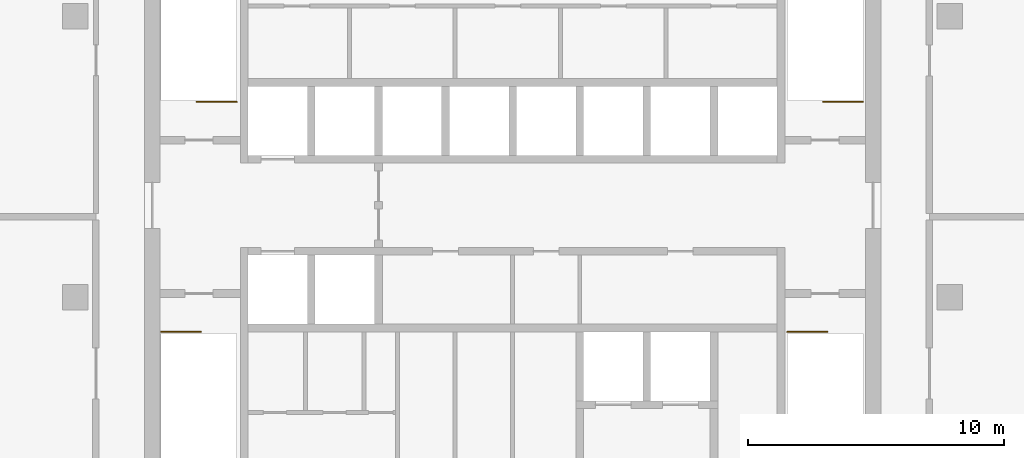
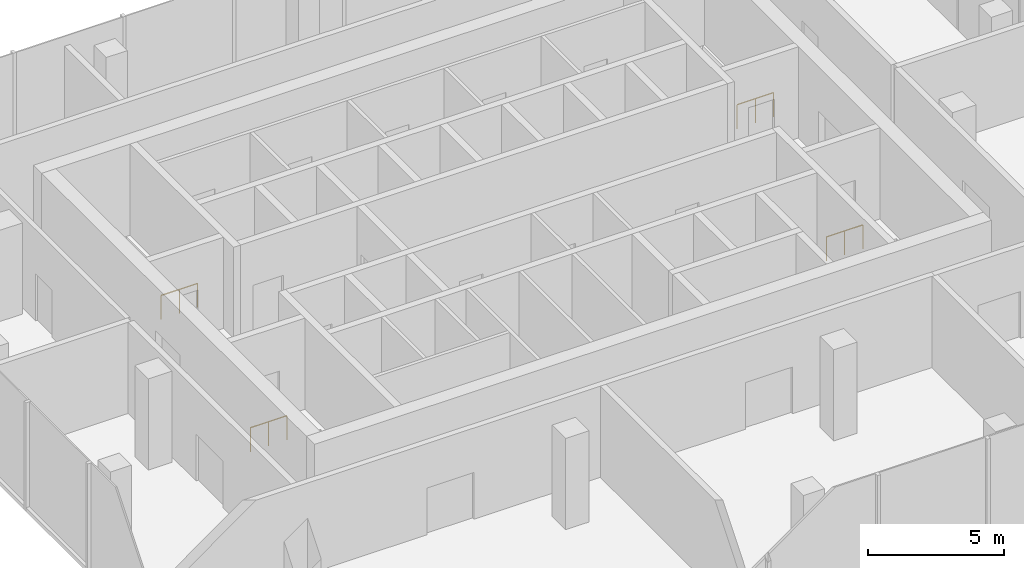
# One storey, part 6 of 6: 4 railings.
"""IFC4 building model written with IfcOpenShell, lengths in metres."""

from ifc_helpers import new_model, si_unit, direction, frame, origin, origin_2d, place, context, subcontext, project, spatial, circle, extrude, material, type_object, element, save


model = new_model("IFC4")

# Units and contexts
model_context = context("Model", 3, precision=1e-05, world=origin(), true_north=direction((0.0, 1.0)))
body_context = subcontext(model_context, "Body", "Model", "MODEL_VIEW")
ifc_project = project(units=[si_unit("LENGTHUNIT", "METRE"), si_unit("AREAUNIT", "SQUARE_METRE"), si_unit("VOLUMEUNIT", "CUBIC_METRE"), si_unit("PLANEANGLEUNIT", "RADIAN"), si_unit("MASSUNIT", "GRAM", prefix="KILO")], contexts=[model_context])

# Site, building, storey
site_placement = place(None, origin())
site = spatial("IfcSite", under=ifc_project, at=site_placement, CompositionType="ELEMENT")
building_placement = place(site_placement, origin())
building = spatial("IfcBuilding", under=site, at=building_placement, Name="Mopane Tessera Tower", CompositionType="ELEMENT")
storey_placement = place(building_placement, frame((0.0, 0.0, 357.39990234375)))
storey = spatial("IfcBuildingStorey", under=building, at=storey_placement, Name="Roof plant", CompositionType="ELEMENT", Elevation=357.39990234375)

# Railings
ifc_material = material(Name="Powder-coated steel balustrade", Category="steel")
railing_type = type_object("IfcRailingType", Name="Escape stair guard 1100 mm", PredefinedType="GUARDRAIL", material=ifc_material)
railing_1_placement = place(storey_placement, frame((-13.75, -1.35009765625, 0.0)))
element("IfcRailing", 1, at=railing_1_placement, inside=storey, type_object=railing_type, Name="Roof plant ST1 top well guard 1", PredefinedType="GUARDRAIL", context=body_context, shape_type="SweptSolid", body=[
    extrude(circle(Radius=0.02392578125, at=origin_2d()), frame((0.0, 0.0, 1.076171875), z_axis=(1.0, 0.0, 0.0), x_axis=(0.0, 1.0, 0.0)), (0.0, 0.0, 1.0), 1.550048828125),
    extrude(circle(Radius=0.02099609375, at=origin_2d()), origin(), (0.0, 0.0, 1.0), 1.052001953125),
    extrude(circle(Radius=0.02099609375, at=origin_2d()), frame((0.77490234375, 0.0, 0.0)), (0.0, 0.0, 1.0), 1.052001953125),
    extrude(circle(Radius=0.02099609375, at=origin_2d()), frame((1.550048828125, 0.0, 0.0)), (0.0, 0.0, 1.0), 1.052001953125),
])
railing_2_placement = place(storey_placement, frame((-10.800048828125, 7.64990234375, 0.0)))
element("IfcRailing", 2, at=railing_2_placement, inside=storey, type_object=railing_type, Name="Roof plant ST2 top well guard 1", PredefinedType="GUARDRAIL", context=body_context, shape_type="SweptSolid", body=[
    extrude(circle(Radius=0.02392578125, at=origin_2d()), frame((0.0, 0.0, 1.076171875), z_axis=(-1.0, 0.0, 0.0), x_axis=(0.0, -1.0, 0.0)), (0.0, 0.0, 1.0), 1.550048828125),
    extrude(circle(Radius=0.02099609375, at=origin_2d()), origin(), (0.0, 0.0, 1.0), 1.052001953125),
    extrude(circle(Radius=0.02099609375, at=origin_2d()), frame((-0.77490234375, 0.0, 0.0)), (0.0, 0.0, 1.0), 1.052001953125),
    extrude(circle(Radius=0.02099609375, at=origin_2d()), frame((-1.550048828125, 0.0, 0.0)), (0.0, 0.0, 1.0), 1.052001953125),
])
railing_3_placement = place(storey_placement, frame((10.75, -1.35009765625, 0.0)))
element("IfcRailing", 3, at=railing_3_placement, inside=storey, type_object=railing_type, Name="Roof plant ST3 top well guard 1", PredefinedType="GUARDRAIL", context=body_context, shape_type="SweptSolid", body=[
    extrude(circle(Radius=0.02392578125, at=origin_2d()), frame((0.0, 0.0, 1.076171875), z_axis=(1.0, 0.0, 0.0), x_axis=(0.0, 1.0, 0.0)), (0.0, 0.0, 1.0), 1.550048828125),
    extrude(circle(Radius=0.02099609375, at=origin_2d()), origin(), (0.0, 0.0, 1.0), 1.052001953125),
    extrude(circle(Radius=0.02099609375, at=origin_2d()), frame((0.77490234375, 0.0, 0.0)), (0.0, 0.0, 1.0), 1.052001953125),
    extrude(circle(Radius=0.02099609375, at=origin_2d()), frame((1.550048828125, 0.0, 0.0)), (0.0, 0.0, 1.0), 1.052001953125),
])
railing_4_placement = place(storey_placement, frame((13.699951171875, 7.64990234375, 0.0)))
element("IfcRailing", 4, at=railing_4_placement, inside=storey, type_object=railing_type, Name="Roof plant ST4 top well guard 1", PredefinedType="GUARDRAIL", context=body_context, shape_type="SweptSolid", body=[
    extrude(circle(Radius=0.02392578125, at=origin_2d()), frame((0.0, 0.0, 1.076171875), z_axis=(-1.0, 0.0, 0.0), x_axis=(0.0, -1.0, 0.0)), (0.0, 0.0, 1.0), 1.550048828125),
    extrude(circle(Radius=0.02099609375, at=origin_2d()), origin(), (0.0, 0.0, 1.0), 1.052001953125),
    extrude(circle(Radius=0.02099609375, at=origin_2d()), frame((-0.77490234375, 0.0, 0.0)), (0.0, 0.0, 1.0), 1.052001953125),
    extrude(circle(Radius=0.02099609375, at=origin_2d()), frame((-1.550048828125, 0.0, 0.0)), (0.0, 0.0, 1.0), 1.052001953125),
])

save(model, "model.ifc")
